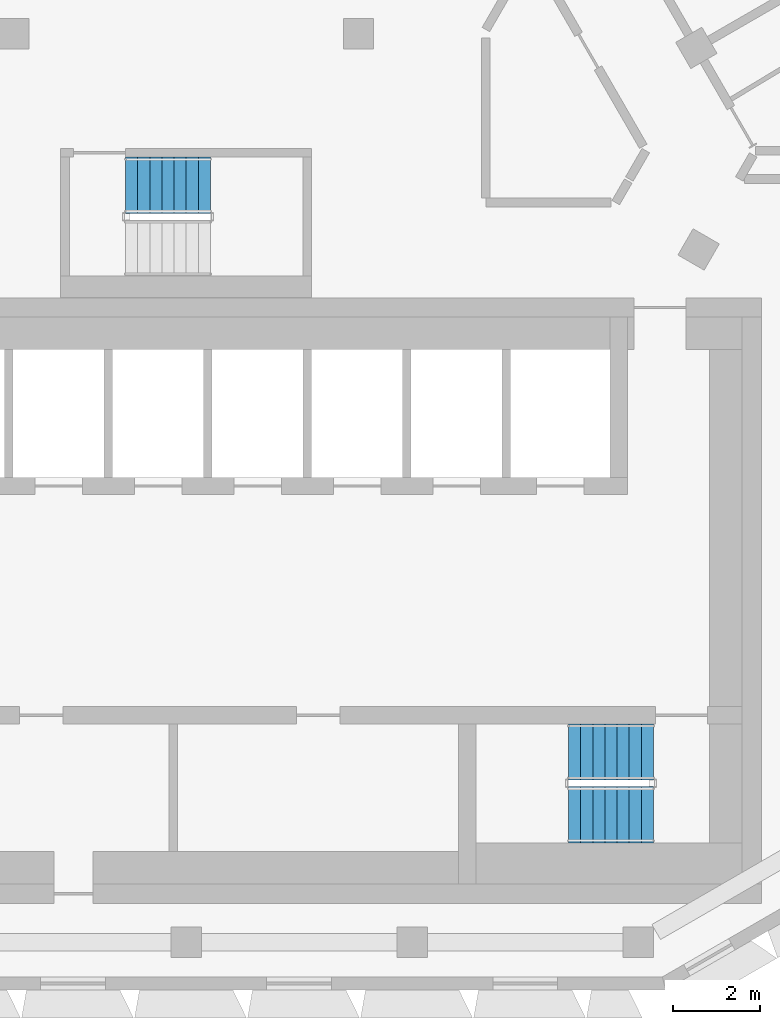
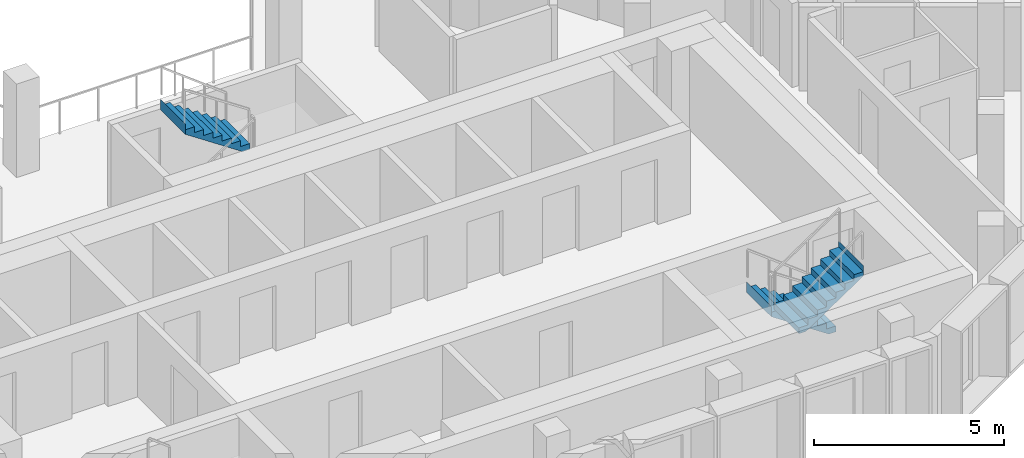
# One storey, part 10 of 15: 3 stair flights, 2 elements without a shape of their own.
"""IFC4 building model written with IfcOpenShell, lengths in metres."""

import ifcopenshell
import ifcopenshell.guid

model = None  # the IFC model being written
_history = None  # IfcOwnerHistory: only IFC2X3 demands one
_inside = {}  # id of a spatial element -> (the spatial element, [elements in it])
_under = {}  # id of a project, library or spatial element -> (it, [spatial elements below it])
_declared = {}  # id of a project -> (the project, [libraries it declares])
_typed = {}  # id of a type object -> (the type object, [elements of that type])
_made_of = {}  # id of a material, layer set ... -> (it, [elements and type objects made of it])


def new_model(schema):
    """Start an empty IFC model of exactly this schema.

    Asked for "IFC4X3", IfcOpenShell would pick the latest addendum, in which some entities
    have other attributes; the version numbers below select the first issue.
    IFC2X3 requires an IfcOwnerHistory on every rooted entity: one is made here for all.
    """
    global model, _history
    if schema == "IFC4X3":
        model = ifcopenshell.file(schema_version=(4, 3, 0, 0))
    else:
        model = ifcopenshell.file(schema=schema)
    _inside.clear()
    _under.clear()
    _declared.clear()
    _typed.clear()
    _made_of.clear()
    _history = None
    if model.schema == "IFC2X3":
        org = make("IfcOrganization", Name="unknown")
        user = make(
            "IfcPersonAndOrganization",
            ThePerson=make("IfcPerson", FamilyName="unknown"),
            TheOrganization=org,
        )
        app = make(
            "IfcApplication",
            ApplicationDeveloper=org,
            Version="unknown",
            ApplicationFullName="unknown",
            ApplicationIdentifier="unknown",
        )
        _history = make(
            "IfcOwnerHistory",
            OwningUser=user,
            OwningApplication=app,
            ChangeAction="ADDED",
            CreationDate=0,
        )
    return model


def make(cls, **values):
    """One entity of the class cls with the attributes given. An attribute that is None is left unset."""
    return model.create_entity(
        cls, **{name: value for name, value in values.items() if value is not None}
    )


def rooted(cls, **values):
    """An entity with a GlobalId (a new one), such as an element, a storey or a relation."""
    return make(cls, GlobalId=ifcopenshell.guid.new(), OwnerHistory=_history, **values)


def si_unit(unit_type, name, prefix=None):
    """IfcSIUnit, for example si_unit("LENGTHUNIT", "METRE", prefix="MILLI")."""
    return make("IfcSIUnit", UnitType=unit_type, Prefix=prefix, Name=name)


def assignment(units):
    """IfcUnitAssignment: the units of a project."""
    return None if units is None else make("IfcUnitAssignment", Units=units)


def point(xyz):
    """IfcCartesianPoint."""
    return None if xyz is None else make("IfcCartesianPoint", Coordinates=xyz)


def direction(xyz):
    """IfcDirection."""
    return None if xyz is None else make("IfcDirection", DirectionRatios=xyz)


def frame(location, z_axis=None, x_axis=None):
    """IfcAxis2Placement3D, a coordinate frame: its origin and axes. An axis left out is left unset."""
    return make(
        "IfcAxis2Placement3D",
        Location=point(location),
        Axis=direction(z_axis),
        RefDirection=direction(x_axis),
    )


def origin():
    """The frame at (0, 0, 0) with its axes left unset."""
    return frame((0.0, 0.0, 0.0))


def place(relative_to, where):
    """IfcLocalPlacement: puts the frame where relative to a parent placement (None: the world)."""
    return make(
        "IfcLocalPlacement", PlacementRelTo=relative_to, RelativePlacement=where
    )


def context(
    kind, dimensions, precision=None, world=None, true_north=None, identifier=None
):
    """IfcGeometricRepresentationContext, for example the 3D "Model" context."""
    return make(
        "IfcGeometricRepresentationContext",
        ContextIdentifier=identifier,
        ContextType=kind,
        CoordinateSpaceDimension=dimensions,
        Precision=precision,
        WorldCoordinateSystem=world,
        TrueNorth=true_north,
    )


def subcontext(parent, identifier, kind, view, scale=None):
    """IfcGeometricRepresentationSubContext, for example "Body" below "Model"."""
    return make(
        "IfcGeometricRepresentationSubContext",
        ContextIdentifier=identifier,
        ContextType=kind,
        ParentContext=parent,
        TargetScale=scale,
        TargetView=view,
    )


def project(units=None, contexts=None):
    """IfcProject with its units and contexts."""
    return rooted(
        "IfcProject",
        Name="project",
        RepresentationContexts=contexts,
        UnitsInContext=assignment(units),
    )


def spatial(cls, under=None, at=None, **own):
    """A site, building, storey or space (cls), placed at a placement, below another one or the project."""
    s = rooted(cls, ObjectPlacement=at, **own)
    if under is not None:
        _under.setdefault(under.id(), (under, []))[1].append(s)
    return s


def point_list(points):
    """IfcCartesianPointList2D or 3D."""
    cls = (
        "IfcCartesianPointList2D" if len(points[0]) == 2 else "IfcCartesianPointList3D"
    )
    return make(cls, CoordList=points)


def triangles(points, corners, closed=None, point_numbers=None):
    """IfcTriangulatedFaceSet: each triangle names its three corners, points numbered from 1."""
    return make(
        "IfcTriangulatedFaceSet",
        Coordinates=point_list(points),
        Closed=closed,
        CoordIndex=corners,
        PnIndex=point_numbers,
    )


def shape(context_of_items, identifier, shape_type, items):
    """IfcShapeRepresentation: the items that make up one representation, for example the "Body"."""
    return make(
        "IfcShapeRepresentation",
        ContextOfItems=context_of_items,
        RepresentationIdentifier=identifier,
        RepresentationType=shape_type,
        Items=items,
    )


def material(Name=None, Category=None):
    """IfcMaterial."""
    return make("IfcMaterial", Name=Name, Category=Category)


def made_of(thing, what):
    """Note that an element or type object is made of a material, layer set ...; save() writes the relation."""
    if what is not None:
        _made_of.setdefault(what.id(), (what, []))[1].append(thing)
    return thing


def type_object(cls, material=None, **own):
    """A type object (cls), such as IfcWallType, which elements share."""
    return made_of(rooted(cls, **own), material)


def element(
    cls,
    number,
    at=None,
    inside=None,
    cuts=None,
    type_object=None,
    material=None,
    context=None,
    identifier="Body",
    shape_type=None,
    held_by="IfcProductDefinitionShape",
    body=None,
    shapes=None,
    **own,
):
    """One element of the class cls, such as IfcWall. Its Tag is "e" and its number.

    at: its placement. inside: the storey or other place that contains it. cuts: it is an
    opening in that element (IfcRelVoidsElement). A single representation is given by context,
    identifier, shape_type and body (its items); several are given by shapes. held_by: the class
    of the entity that holds the representations. save() writes the other relations.
    """
    e = rooted(cls, Tag="e%d" % number, ObjectPlacement=at, **own)
    if body is not None:
        shapes = [shape(context, identifier, shape_type, body)]
    if shapes is not None:
        e.Representation = make(held_by, Representations=shapes)
    if inside is not None:
        _inside.setdefault(inside.id(), (inside, []))[1].append(e)
    if cuts is not None:
        rooted(
            "IfcRelVoidsElement", RelatingBuildingElement=cuts, RelatedOpeningElement=e
        )
    if type_object is not None:
        _typed.setdefault(type_object.id(), (type_object, []))[1].append(e)
    return made_of(e, material)


def aggregate(whole, parts):
    """IfcRelAggregates: a whole, such as a stair, and the parts it consists of."""
    return rooted("IfcRelAggregates", RelatingObject=whole, RelatedObjects=parts)


def save(model, path):
    """Write the relations noted so far, then the file.

    IfcRelAggregates (storeys below a building ...), IfcRelContainedInSpatialStructure (elements
    in a storey), IfcRelDefinesByType, IfcRelAssociatesMaterial and IfcRelDeclares: one each for
    every whole, place, type object, material and project.
    """
    for whole, parts in _under.values():
        aggregate(whole, parts)
    for where, things in _inside.values():
        rooted(
            "IfcRelContainedInSpatialStructure",
            RelatedElements=things,
            RelatingStructure=where,
        )
    for kind, things in _typed.values():
        rooted("IfcRelDefinesByType", RelatedObjects=things, RelatingType=kind)
    for what, things in _made_of.values():
        rooted("IfcRelAssociatesMaterial", RelatedObjects=things, RelatingMaterial=what)
    for by, libraries in _declared.values():
        rooted("IfcRelDeclares", RelatingContext=by, RelatedDefinitions=libraries)
    model.write(path)


model = new_model("IFC4")

# Units and contexts
model_context = context("Model", 3, precision=1e-05, world=origin(), true_north=direction((0.0, 1.0)))
body_context = subcontext(model_context, "Body", "Model", "MODEL_VIEW")
ifc_project = project(units=[si_unit("LENGTHUNIT", "METRE"), si_unit("AREAUNIT", "SQUARE_METRE"), si_unit("VOLUMEUNIT", "CUBIC_METRE"), si_unit("PLANEANGLEUNIT", "RADIAN"), si_unit("MASSUNIT", "GRAM", prefix="KILO")], contexts=[model_context])

# Site, building, storey
site_placement = place(None, origin())
site = spatial("IfcSite", under=ifc_project, at=site_placement, CompositionType="ELEMENT")
building_placement = place(site_placement, origin())
building = spatial("IfcBuilding", under=site, at=building_placement, Name="Beryl Residences", CompositionType="ELEMENT")
storey_placement = place(building_placement, frame((0.0, 0.0, 211.800048828125)))
storey = spatial("IfcBuildingStorey", under=building, at=storey_placement, Name="L65", CompositionType="ELEMENT", Elevation=211.800048828125)

# Stair, stair flights
ifc_material_1 = material(Name="Concrete C40/50", Category="concrete")
stair_type = type_object("IfcStairType", Name="ST1 protected exit stair, half-turn, 1300 mm flights", PredefinedType="HALF_TURN_STAIR", material=ifc_material_1)
stair_1_placement = place(storey_placement, origin())
stair_1 = element("IfcStair", 1, at=stair_1_placement, inside=storey, type_object=stair_type, Name="L65 PROTECTED EXIT STAIR ST-3", PredefinedType="HALF_TURN_STAIR")
ifc_material_2 = material(Name="Concrete C40/50", Category="concrete")
stair_flight_type = type_object("IfcStairFlightType", Name="SF1 stair flight 1300 mm", PredefinedType="STRAIGHT", material=ifc_material_2)
stair_flight_1_placement = place(storey_placement, frame((10.800048828125, -15.5, 0.0), z_axis=(0.0, 0.0, 1.0), x_axis=(-1.0, 0.0, 0.0)))
stair_flight_1 = element("IfcStairFlight", 2, at=stair_flight_1_placement, type_object=stair_flight_type, Name="ST-3 flight 1", NumberOfRisers=8, NumberOfTreads=7, PredefinedType="STRAIGHT", RiserHeight=0.1875, TreadLength=0.28, context=body_context, shape_type="Tessellation", body=[
    triangles([(0.0, -0.64990234375, 0.0), (0.0, -0.324951171875, 0.0), (0.0, 0.0, 0.0), (0.0, 0.324951171875, 0.0), (0.0, 0.64990234375, 0.0), (0.0, -0.64990234375, 0.1875), (0.0, -0.324951171875, 0.1875), (0.0, 0.0, 0.1875), (0.0, 0.324951171875, 0.1875), (0.0, 0.64990234375, 0.1875), (0.280029296875, -0.64990234375, 0.1875), (0.280029296875, -0.324951171875, 0.1875), (0.280029296875, 0.0, 0.1875), (0.280029296875, 0.324951171875, 0.1875), (0.280029296875, 0.64990234375, 0.1875), (0.280029296875, -0.64990234375, 0.375), (0.280029296875, -0.324951171875, 0.375), (0.280029296875, 0.0, 0.375), (0.280029296875, 0.324951171875, 0.375), (0.280029296875, 0.64990234375, 0.375), (0.56005859375, -0.64990234375, 0.375), (0.56005859375, -0.324951171875, 0.375), (0.56005859375, 0.0, 0.375), (0.56005859375, 0.324951171875, 0.375), (0.56005859375, 0.64990234375, 0.375), (0.56005859375, -0.64990234375, 0.5625), (0.56005859375, -0.324951171875, 0.5625), (0.56005859375, 0.0, 0.5625), (0.56005859375, 0.324951171875, 0.5625), (0.56005859375, 0.64990234375, 0.5625), (0.840087890625, -0.64990234375, 0.5625), (0.840087890625, -0.324951171875, 0.5625), (0.840087890625, 0.0, 0.5625), (0.840087890625, 0.324951171875, 0.5625), (0.840087890625, 0.64990234375, 0.5625), (0.840087890625, -0.64990234375, 0.75), (0.840087890625, -0.324951171875, 0.75), (0.840087890625, 0.0, 0.75), (0.840087890625, 0.324951171875, 0.75), (0.840087890625, 0.64990234375, 0.75), (1.1201171875, -0.64990234375, 0.75), (1.1201171875, -0.324951171875, 0.75), (1.1201171875, 0.0, 0.75), (1.1201171875, 0.324951171875, 0.75), (1.1201171875, 0.64990234375, 0.75), (1.1201171875, -0.64990234375, 0.9375), (1.1201171875, -0.324951171875, 0.9375), (1.1201171875, 0.0, 0.9375), (1.1201171875, 0.324951171875, 0.9375), (1.1201171875, 0.64990234375, 0.9375), (1.39990234375, -0.64990234375, 0.9375), (1.39990234375, -0.324951171875, 0.9375), (1.39990234375, 0.0, 0.9375), (1.39990234375, 0.324951171875, 0.9375), (1.39990234375, 0.64990234375, 0.9375), (1.39990234375, -0.64990234375, 1.125), (1.39990234375, -0.324951171875, 1.125), (1.39990234375, 0.0, 1.125), (1.39990234375, 0.324951171875, 1.125), (1.39990234375, 0.64990234375, 1.125), (1.679931640625, -0.64990234375, 1.125), (1.679931640625, -0.324951171875, 1.125), (1.679931640625, 0.0, 1.125), (1.679931640625, 0.324951171875, 1.125), (1.679931640625, 0.64990234375, 1.125), (1.679931640625, -0.64990234375, 1.3125), (1.679931640625, -0.324951171875, 1.3125), (1.679931640625, 0.0, 1.3125), (1.679931640625, 0.324951171875, 1.3125), (1.679931640625, 0.64990234375, 1.3125), (1.9599609375, -0.64990234375, 1.3125), (1.9599609375, -0.324951171875, 1.3125), (1.9599609375, 0.0, 1.3125), (1.9599609375, 0.324951171875, 1.3125), (1.9599609375, 0.64990234375, 1.3125), (1.9599609375, -0.64990234375, 1.5), (1.9599609375, -0.324951171875, 1.5), (1.9599609375, 0.0, 1.5), (1.9599609375, 0.324951171875, 1.5), (1.9599609375, 0.64990234375, 1.5), (1.9609375, -0.64990234375, 1.5), (1.9609375, -0.324951171875, 1.5), (1.9609375, 0.0, 1.5), (1.9609375, 0.324951171875, 1.5), (1.9609375, 0.64990234375, 1.5), (1.9609375, -0.64990234375, 1.16796875), (1.9609375, -0.324951171875, 1.16796875), (1.9609375, 0.0, 1.16796875), (1.9609375, 0.324951171875, 1.16796875), (1.9609375, 0.64990234375, 1.16796875), (0.216796875, -0.64990234375, 0.0), (0.216796875, -0.324951171875, 0.0), (0.216796875, 0.0, 0.0), (0.216796875, 0.324951171875, 0.0), (0.216796875, 0.64990234375, 0.0)], [[1, 6, 7], [1, 7, 2], [2, 7, 8], [2, 8, 3], [3, 8, 9], [3, 9, 4], [4, 9, 10], [4, 10, 5], [6, 11, 12], [6, 12, 7], [7, 12, 13], [7, 13, 8], [8, 13, 14], [8, 14, 9], [9, 14, 15], [9, 15, 10], [11, 16, 17], [11, 17, 12], [12, 17, 18], [12, 18, 13], [13, 18, 19], [13, 19, 14], [14, 19, 20], [14, 20, 15], [16, 21, 22], [16, 22, 17], [17, 22, 23], [17, 23, 18], [18, 23, 24], [18, 24, 19], [19, 24, 25], [19, 25, 20], [21, 26, 27], [21, 27, 22], [22, 27, 28], [22, 28, 23], [23, 28, 29], [23, 29, 24], [24, 29, 30], [24, 30, 25], [26, 31, 32], [26, 32, 27], [27, 32, 33], [27, 33, 28], [28, 33, 34], [28, 34, 29], [29, 34, 35], [29, 35, 30], [31, 36, 37], [31, 37, 32], [32, 37, 38], [32, 38, 33], [33, 38, 39], [33, 39, 34], [34, 39, 40], [34, 40, 35], [36, 41, 42], [36, 42, 37], [37, 42, 43], [37, 43, 38], [38, 43, 44], [38, 44, 39], [39, 44, 45], [39, 45, 40], [41, 46, 47], [41, 47, 42], [42, 47, 48], [42, 48, 43], [43, 48, 49], [43, 49, 44], [44, 49, 50], [44, 50, 45], [46, 51, 52], [46, 52, 47], [47, 52, 53], [47, 53, 48], [48, 53, 54], [48, 54, 49], [49, 54, 55], [49, 55, 50], [51, 56, 57], [51, 57, 52], [52, 57, 58], [52, 58, 53], [53, 58, 59], [53, 59, 54], [54, 59, 60], [54, 60, 55], [56, 61, 62], [56, 62, 57], [57, 62, 63], [57, 63, 58], [58, 63, 64], [58, 64, 59], [59, 64, 65], [59, 65, 60], [61, 66, 67], [61, 67, 62], [62, 67, 68], [62, 68, 63], [63, 68, 69], [63, 69, 64], [64, 69, 70], [64, 70, 65], [66, 71, 72], [66, 72, 67], [67, 72, 73], [67, 73, 68], [68, 73, 74], [68, 74, 69], [69, 74, 75], [69, 75, 70], [71, 76, 77], [71, 77, 72], [72, 77, 78], [72, 78, 73], [73, 78, 79], [73, 79, 74], [74, 79, 80], [74, 80, 75], [76, 81, 82], [76, 82, 77], [77, 82, 83], [77, 83, 78], [78, 83, 84], [78, 84, 79], [79, 84, 85], [79, 85, 80], [81, 86, 87], [81, 87, 82], [82, 87, 88], [82, 88, 83], [83, 88, 89], [83, 89, 84], [84, 89, 90], [84, 90, 85], [86, 91, 92], [86, 92, 87], [87, 92, 93], [87, 93, 88], [88, 93, 94], [88, 94, 89], [89, 94, 95], [89, 95, 90], [91, 1, 2], [91, 2, 92], [92, 2, 3], [92, 3, 93], [93, 3, 4], [93, 4, 94], [94, 4, 5], [94, 5, 95], [1, 91, 86], [5, 90, 95], [86, 81, 76], [90, 80, 85], [86, 76, 71], [90, 75, 80], [86, 71, 66], [90, 70, 75], [86, 66, 61], [90, 65, 70], [61, 56, 51], [65, 55, 60], [86, 61, 51], [90, 55, 65], [51, 46, 41], [55, 45, 50], [86, 51, 41], [90, 45, 55], [41, 36, 31], [45, 35, 40], [86, 41, 31], [90, 35, 45], [31, 26, 21], [35, 25, 30], [86, 31, 21], [90, 25, 35], [21, 16, 11], [25, 15, 20], [86, 21, 11], [90, 15, 25], [1, 86, 11], [5, 15, 90], [11, 6, 1], [15, 5, 10]], closed=True),
])
stair_flight_2_placement = place(storey_placement, frame((8.840087890625, -16.949951171875, 1.5), z_axis=(0.0, 0.0, 1.0), x_axis=(1.0, 0.0, 0.0)))
stair_flight_2 = element("IfcStairFlight", 3, at=stair_flight_2_placement, type_object=stair_flight_type, Name="ST-3 flight 2", NumberOfRisers=8, NumberOfTreads=7, PredefinedType="STRAIGHT", RiserHeight=0.1875, TreadLength=0.28, context=body_context, shape_type="Tessellation", body=[
    triangles([(0.0, -0.64990234375, 0.0), (0.0, -0.324951171875, 0.0), (0.0, 0.0, 0.0), (0.0, 0.324951171875, 0.0), (0.0, 0.64990234375, 0.0), (0.0, -0.64990234375, 0.1875), (0.0, -0.324951171875, 0.1875), (0.0, 0.0, 0.1875), (0.0, 0.324951171875, 0.1875), (0.0, 0.64990234375, 0.1875), (0.280029296875, -0.64990234375, 0.1875), (0.280029296875, -0.324951171875, 0.1875), (0.280029296875, 0.0, 0.1875), (0.280029296875, 0.324951171875, 0.1875), (0.280029296875, 0.64990234375, 0.1875), (0.280029296875, -0.64990234375, 0.375), (0.280029296875, -0.324951171875, 0.375), (0.280029296875, 0.0, 0.375), (0.280029296875, 0.324951171875, 0.375), (0.280029296875, 0.64990234375, 0.375), (0.56005859375, -0.64990234375, 0.375), (0.56005859375, -0.324951171875, 0.375), (0.56005859375, 0.0, 0.375), (0.56005859375, 0.324951171875, 0.375), (0.56005859375, 0.64990234375, 0.375), (0.56005859375, -0.64990234375, 0.5625), (0.56005859375, -0.324951171875, 0.5625), (0.56005859375, 0.0, 0.5625), (0.56005859375, 0.324951171875, 0.5625), (0.56005859375, 0.64990234375, 0.5625), (0.840087890625, -0.64990234375, 0.5625), (0.840087890625, -0.324951171875, 0.5625), (0.840087890625, 0.0, 0.5625), (0.840087890625, 0.324951171875, 0.5625), (0.840087890625, 0.64990234375, 0.5625), (0.840087890625, -0.64990234375, 0.75), (0.840087890625, -0.324951171875, 0.75), (0.840087890625, 0.0, 0.75), (0.840087890625, 0.324951171875, 0.75), (0.840087890625, 0.64990234375, 0.75), (1.1201171875, -0.64990234375, 0.75), (1.1201171875, -0.324951171875, 0.75), (1.1201171875, 0.0, 0.75), (1.1201171875, 0.324951171875, 0.75), (1.1201171875, 0.64990234375, 0.75), (1.1201171875, -0.64990234375, 0.9375), (1.1201171875, -0.324951171875, 0.9375), (1.1201171875, 0.0, 0.9375), (1.1201171875, 0.324951171875, 0.9375), (1.1201171875, 0.64990234375, 0.9375), (1.39990234375, -0.64990234375, 0.9375), (1.39990234375, -0.324951171875, 0.9375), (1.39990234375, 0.0, 0.9375), (1.39990234375, 0.324951171875, 0.9375), (1.39990234375, 0.64990234375, 0.9375), (1.39990234375, -0.64990234375, 1.125), (1.39990234375, -0.324951171875, 1.125), (1.39990234375, 0.0, 1.125), (1.39990234375, 0.324951171875, 1.125), (1.39990234375, 0.64990234375, 1.125), (1.679931640625, -0.64990234375, 1.125), (1.679931640625, -0.324951171875, 1.125), (1.679931640625, 0.0, 1.125), (1.679931640625, 0.324951171875, 1.125), (1.679931640625, 0.64990234375, 1.125), (1.679931640625, -0.64990234375, 1.3125), (1.679931640625, -0.324951171875, 1.3125), (1.679931640625, 0.0, 1.3125), (1.679931640625, 0.324951171875, 1.3125), (1.679931640625, 0.64990234375, 1.3125), (1.9599609375, -0.64990234375, 1.3125), (1.9599609375, -0.324951171875, 1.3125), (1.9599609375, 0.0, 1.3125), (1.9599609375, 0.324951171875, 1.3125), (1.9599609375, 0.64990234375, 1.3125), (1.9599609375, -0.64990234375, 1.5), (1.9599609375, -0.324951171875, 1.5), (1.9599609375, 0.0, 1.5), (1.9599609375, 0.324951171875, 1.5), (1.9599609375, 0.64990234375, 1.5), (1.9609375, -0.64990234375, 1.5), (1.9609375, -0.324951171875, 1.5), (1.9609375, 0.0, 1.5), (1.9609375, 0.324951171875, 1.5), (1.9609375, 0.64990234375, 1.5), (1.9609375, -0.64990234375, 1.16796875), (1.9609375, -0.324951171875, 1.16796875), (1.9609375, 0.0, 1.16796875), (1.9609375, 0.324951171875, 1.16796875), (1.9609375, 0.64990234375, 1.16796875), (0.216796875, -0.64990234375, 0.0), (0.216796875, -0.324951171875, 0.0), (0.216796875, 0.0, 0.0), (0.216796875, 0.324951171875, 0.0), (0.216796875, 0.64990234375, 0.0)], [[1, 6, 7], [1, 7, 2], [2, 7, 8], [2, 8, 3], [3, 8, 9], [3, 9, 4], [4, 9, 10], [4, 10, 5], [6, 11, 12], [6, 12, 7], [7, 12, 13], [7, 13, 8], [8, 13, 14], [8, 14, 9], [9, 14, 15], [9, 15, 10], [11, 16, 17], [11, 17, 12], [12, 17, 18], [12, 18, 13], [13, 18, 19], [13, 19, 14], [14, 19, 20], [14, 20, 15], [16, 21, 22], [16, 22, 17], [17, 22, 23], [17, 23, 18], [18, 23, 24], [18, 24, 19], [19, 24, 25], [19, 25, 20], [21, 26, 27], [21, 27, 22], [22, 27, 28], [22, 28, 23], [23, 28, 29], [23, 29, 24], [24, 29, 30], [24, 30, 25], [26, 31, 32], [26, 32, 27], [27, 32, 33], [27, 33, 28], [28, 33, 34], [28, 34, 29], [29, 34, 35], [29, 35, 30], [31, 36, 37], [31, 37, 32], [32, 37, 38], [32, 38, 33], [33, 38, 39], [33, 39, 34], [34, 39, 40], [34, 40, 35], [36, 41, 42], [36, 42, 37], [37, 42, 43], [37, 43, 38], [38, 43, 44], [38, 44, 39], [39, 44, 45], [39, 45, 40], [41, 46, 47], [41, 47, 42], [42, 47, 48], [42, 48, 43], [43, 48, 49], [43, 49, 44], [44, 49, 50], [44, 50, 45], [46, 51, 52], [46, 52, 47], [47, 52, 53], [47, 53, 48], [48, 53, 54], [48, 54, 49], [49, 54, 55], [49, 55, 50], [51, 56, 57], [51, 57, 52], [52, 57, 58], [52, 58, 53], [53, 58, 59], [53, 59, 54], [54, 59, 60], [54, 60, 55], [56, 61, 62], [56, 62, 57], [57, 62, 63], [57, 63, 58], [58, 63, 64], [58, 64, 59], [59, 64, 65], [59, 65, 60], [61, 66, 67], [61, 67, 62], [62, 67, 68], [62, 68, 63], [63, 68, 69], [63, 69, 64], [64, 69, 70], [64, 70, 65], [66, 71, 72], [66, 72, 67], [67, 72, 73], [67, 73, 68], [68, 73, 74], [68, 74, 69], [69, 74, 75], [69, 75, 70], [71, 76, 77], [71, 77, 72], [72, 77, 78], [72, 78, 73], [73, 78, 79], [73, 79, 74], [74, 79, 80], [74, 80, 75], [76, 81, 82], [76, 82, 77], [77, 82, 83], [77, 83, 78], [78, 83, 84], [78, 84, 79], [79, 84, 85], [79, 85, 80], [81, 86, 87], [81, 87, 82], [82, 87, 88], [82, 88, 83], [83, 88, 89], [83, 89, 84], [84, 89, 90], [84, 90, 85], [86, 91, 92], [86, 92, 87], [87, 92, 93], [87, 93, 88], [88, 93, 94], [88, 94, 89], [89, 94, 95], [89, 95, 90], [91, 1, 2], [91, 2, 92], [92, 2, 3], [92, 3, 93], [93, 3, 4], [93, 4, 94], [94, 4, 5], [94, 5, 95], [1, 91, 86], [5, 90, 95], [86, 81, 76], [90, 80, 85], [86, 76, 71], [90, 75, 80], [86, 71, 66], [90, 70, 75], [86, 66, 61], [90, 65, 70], [61, 56, 51], [65, 55, 60], [86, 61, 51], [90, 55, 65], [51, 46, 41], [55, 45, 50], [86, 51, 41], [90, 45, 55], [41, 36, 31], [45, 35, 40], [86, 41, 31], [90, 35, 45], [31, 26, 21], [35, 25, 30], [86, 31, 21], [90, 25, 35], [21, 16, 11], [25, 15, 20], [86, 21, 11], [90, 15, 25], [1, 86, 11], [5, 15, 90], [11, 6, 1], [15, 5, 10]], closed=True),
])
aggregate(stair_1, [stair_flight_1, stair_flight_2])

# Stair, stair flight
stair_2_placement = place(storey_placement, origin())
stair_2 = element("IfcStair", 4, at=stair_2_placement, inside=storey, type_object=stair_type, Name="L65 PROTECTED EXIT STAIR ST-4", PredefinedType="HALF_TURN_STAIR")
stair_flight_3_placement = place(storey_placement, frame((0.56005859375, -2.39990234375, 1.5), z_axis=(0.0, 0.0, 1.0), x_axis=(-1.0, 0.0, 0.0)))
stair_flight_3 = element("IfcStairFlight", 5, at=stair_flight_3_placement, type_object=stair_flight_type, Name="ST-4 flight 2", NumberOfRisers=8, NumberOfTreads=7, PredefinedType="STRAIGHT", RiserHeight=0.1875, TreadLength=0.28, context=body_context, shape_type="Tessellation", body=[
    triangles([(0.0, -0.64990234375, 0.0), (0.0, -0.324951171875, 0.0), (0.0, 0.0, 0.0), (0.0, 0.324951171875, 0.0), (0.0, 0.64990234375, 0.0), (0.0, -0.64990234375, 0.1875), (0.0, -0.324951171875, 0.1875), (0.0, 0.0, 0.1875), (0.0, 0.324951171875, 0.1875), (0.0, 0.64990234375, 0.1875), (0.280029296875, -0.64990234375, 0.1875), (0.280029296875, -0.324951171875, 0.1875), (0.280029296875, 0.0, 0.1875), (0.280029296875, 0.324951171875, 0.1875), (0.280029296875, 0.64990234375, 0.1875), (0.280029296875, -0.64990234375, 0.375), (0.280029296875, -0.324951171875, 0.375), (0.280029296875, 0.0, 0.375), (0.280029296875, 0.324951171875, 0.375), (0.280029296875, 0.64990234375, 0.375), (0.56005859375, -0.64990234375, 0.375), (0.56005859375, -0.324951171875, 0.375), (0.56005859375, 0.0, 0.375), (0.56005859375, 0.324951171875, 0.375), (0.56005859375, 0.64990234375, 0.375), (0.56005859375, -0.64990234375, 0.5625), (0.56005859375, -0.324951171875, 0.5625), (0.56005859375, 0.0, 0.5625), (0.56005859375, 0.324951171875, 0.5625), (0.56005859375, 0.64990234375, 0.5625), (0.840087890625, -0.64990234375, 0.5625), (0.840087890625, -0.324951171875, 0.5625), (0.840087890625, 0.0, 0.5625), (0.840087890625, 0.324951171875, 0.5625), (0.840087890625, 0.64990234375, 0.5625), (0.840087890625, -0.64990234375, 0.75), (0.840087890625, -0.324951171875, 0.75), (0.840087890625, 0.0, 0.75), (0.840087890625, 0.324951171875, 0.75), (0.840087890625, 0.64990234375, 0.75), (1.1201171875, -0.64990234375, 0.75), (1.1201171875, -0.324951171875, 0.75), (1.1201171875, 0.0, 0.75), (1.1201171875, 0.324951171875, 0.75), (1.1201171875, 0.64990234375, 0.75), (1.1201171875, -0.64990234375, 0.9375), (1.1201171875, -0.324951171875, 0.9375), (1.1201171875, 0.0, 0.9375), (1.1201171875, 0.324951171875, 0.9375), (1.1201171875, 0.64990234375, 0.9375), (1.39990234375, -0.64990234375, 0.9375), (1.39990234375, -0.324951171875, 0.9375), (1.39990234375, 0.0, 0.9375), (1.39990234375, 0.324951171875, 0.9375), (1.39990234375, 0.64990234375, 0.9375), (1.39990234375, -0.64990234375, 1.125), (1.39990234375, -0.324951171875, 1.125), (1.39990234375, 0.0, 1.125), (1.39990234375, 0.324951171875, 1.125), (1.39990234375, 0.64990234375, 1.125), (1.679931640625, -0.64990234375, 1.125), (1.679931640625, -0.324951171875, 1.125), (1.679931640625, 0.0, 1.125), (1.679931640625, 0.324951171875, 1.125), (1.679931640625, 0.64990234375, 1.125), (1.679931640625, -0.64990234375, 1.3125), (1.679931640625, -0.324951171875, 1.3125), (1.679931640625, 0.0, 1.3125), (1.679931640625, 0.324951171875, 1.3125), (1.679931640625, 0.64990234375, 1.3125), (1.9599609375, -0.64990234375, 1.3125), (1.9599609375, -0.324951171875, 1.3125), (1.9599609375, 0.0, 1.3125), (1.9599609375, 0.324951171875, 1.3125), (1.9599609375, 0.64990234375, 1.3125), (1.9599609375, -0.64990234375, 1.5), (1.9599609375, -0.324951171875, 1.5), (1.9599609375, 0.0, 1.5), (1.9599609375, 0.324951171875, 1.5), (1.9599609375, 0.64990234375, 1.5), (1.9609375, -0.64990234375, 1.5), (1.9609375, -0.324951171875, 1.5), (1.9609375, 0.0, 1.5), (1.9609375, 0.324951171875, 1.5), (1.9609375, 0.64990234375, 1.5), (1.9609375, -0.64990234375, 1.16796875), (1.9609375, -0.324951171875, 1.16796875), (1.9609375, 0.0, 1.16796875), (1.9609375, 0.324951171875, 1.16796875), (1.9609375, 0.64990234375, 1.16796875), (0.216796875, -0.64990234375, 0.0), (0.216796875, -0.324951171875, 0.0), (0.216796875, 0.0, 0.0), (0.216796875, 0.324951171875, 0.0), (0.216796875, 0.64990234375, 0.0)], [[1, 6, 7], [1, 7, 2], [2, 7, 8], [2, 8, 3], [3, 8, 9], [3, 9, 4], [4, 9, 10], [4, 10, 5], [6, 11, 12], [6, 12, 7], [7, 12, 13], [7, 13, 8], [8, 13, 14], [8, 14, 9], [9, 14, 15], [9, 15, 10], [11, 16, 17], [11, 17, 12], [12, 17, 18], [12, 18, 13], [13, 18, 19], [13, 19, 14], [14, 19, 20], [14, 20, 15], [16, 21, 22], [16, 22, 17], [17, 22, 23], [17, 23, 18], [18, 23, 24], [18, 24, 19], [19, 24, 25], [19, 25, 20], [21, 26, 27], [21, 27, 22], [22, 27, 28], [22, 28, 23], [23, 28, 29], [23, 29, 24], [24, 29, 30], [24, 30, 25], [26, 31, 32], [26, 32, 27], [27, 32, 33], [27, 33, 28], [28, 33, 34], [28, 34, 29], [29, 34, 35], [29, 35, 30], [31, 36, 37], [31, 37, 32], [32, 37, 38], [32, 38, 33], [33, 38, 39], [33, 39, 34], [34, 39, 40], [34, 40, 35], [36, 41, 42], [36, 42, 37], [37, 42, 43], [37, 43, 38], [38, 43, 44], [38, 44, 39], [39, 44, 45], [39, 45, 40], [41, 46, 47], [41, 47, 42], [42, 47, 48], [42, 48, 43], [43, 48, 49], [43, 49, 44], [44, 49, 50], [44, 50, 45], [46, 51, 52], [46, 52, 47], [47, 52, 53], [47, 53, 48], [48, 53, 54], [48, 54, 49], [49, 54, 55], [49, 55, 50], [51, 56, 57], [51, 57, 52], [52, 57, 58], [52, 58, 53], [53, 58, 59], [53, 59, 54], [54, 59, 60], [54, 60, 55], [56, 61, 62], [56, 62, 57], [57, 62, 63], [57, 63, 58], [58, 63, 64], [58, 64, 59], [59, 64, 65], [59, 65, 60], [61, 66, 67], [61, 67, 62], [62, 67, 68], [62, 68, 63], [63, 68, 69], [63, 69, 64], [64, 69, 70], [64, 70, 65], [66, 71, 72], [66, 72, 67], [67, 72, 73], [67, 73, 68], [68, 73, 74], [68, 74, 69], [69, 74, 75], [69, 75, 70], [71, 76, 77], [71, 77, 72], [72, 77, 78], [72, 78, 73], [73, 78, 79], [73, 79, 74], [74, 79, 80], [74, 80, 75], [76, 81, 82], [76, 82, 77], [77, 82, 83], [77, 83, 78], [78, 83, 84], [78, 84, 79], [79, 84, 85], [79, 85, 80], [81, 86, 87], [81, 87, 82], [82, 87, 88], [82, 88, 83], [83, 88, 89], [83, 89, 84], [84, 89, 90], [84, 90, 85], [86, 91, 92], [86, 92, 87], [87, 92, 93], [87, 93, 88], [88, 93, 94], [88, 94, 89], [89, 94, 95], [89, 95, 90], [91, 1, 2], [91, 2, 92], [92, 2, 3], [92, 3, 93], [93, 3, 4], [93, 4, 94], [94, 4, 5], [94, 5, 95], [1, 91, 86], [5, 90, 95], [86, 81, 76], [90, 80, 85], [86, 76, 71], [90, 75, 80], [86, 71, 66], [90, 70, 75], [86, 66, 61], [90, 65, 70], [61, 56, 51], [65, 55, 60], [86, 61, 51], [90, 55, 65], [51, 46, 41], [55, 45, 50], [86, 51, 41], [90, 45, 55], [41, 36, 31], [45, 35, 40], [86, 41, 31], [90, 35, 45], [31, 26, 21], [35, 25, 30], [86, 31, 21], [90, 25, 35], [21, 16, 11], [25, 15, 20], [86, 21, 11], [90, 15, 25], [1, 86, 11], [5, 15, 90], [11, 6, 1], [15, 5, 10]], closed=True),
])
aggregate(stair_2, [stair_flight_3])

save(model, "model.ifc")
